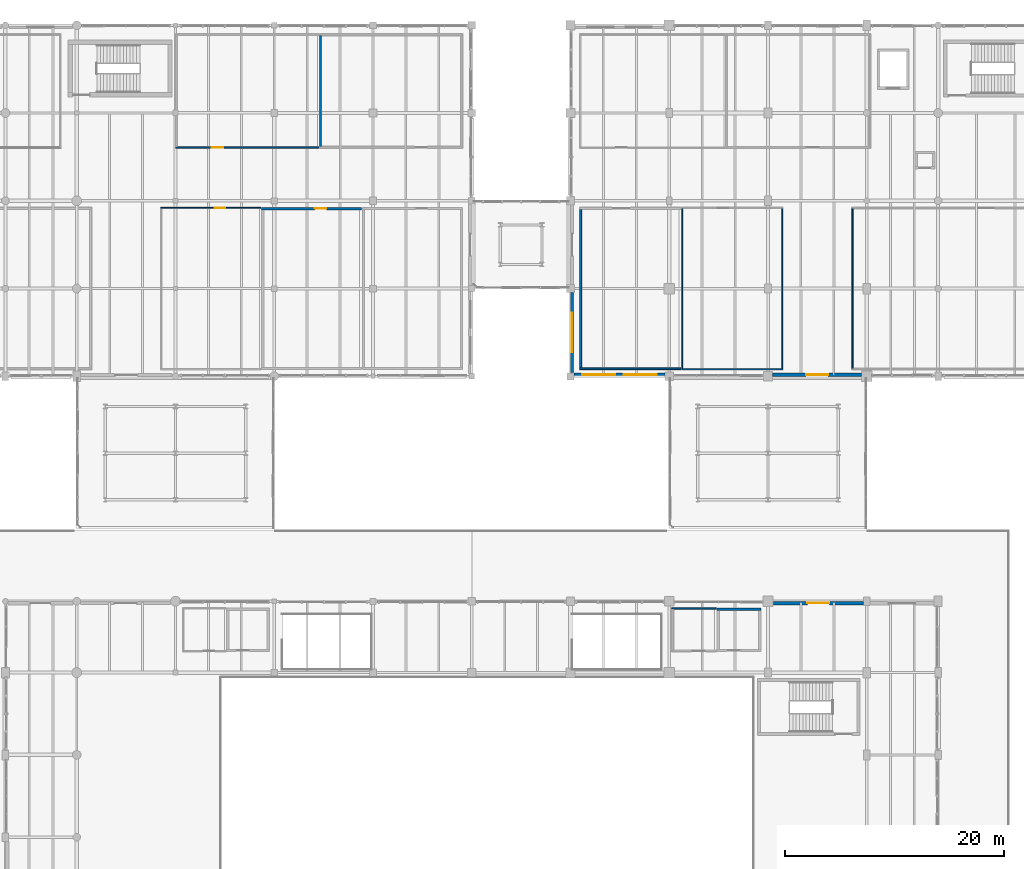
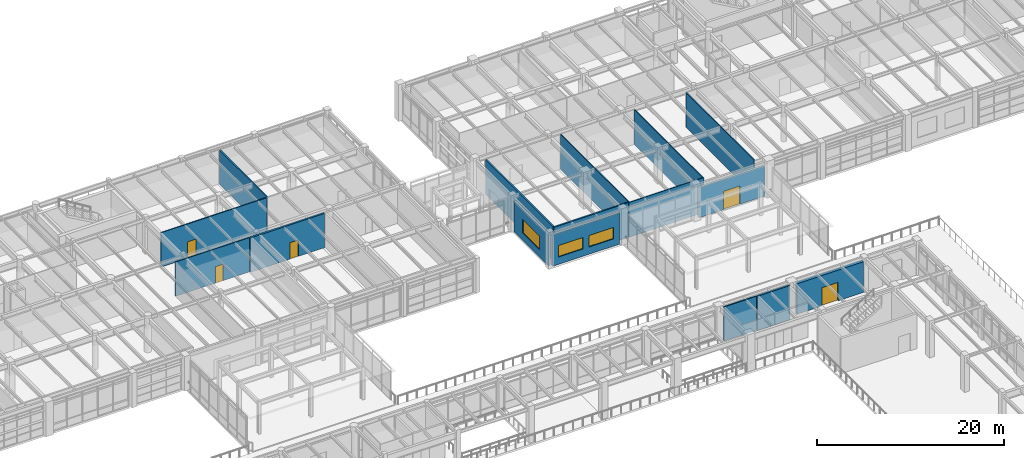
# One storey, part 177 of 200: 16 walls, 5 doors, 3 windows, 8 openings.
"""IFC4 building model written with IfcOpenShell, lengths in metres."""

from ifc_helpers import new_model, si_unit, direction, frame, frame_2d, origin, place, context, subcontext, project, spatial, rectangle, extrude, material, layer, layer_set, type_object, element, fill, save


model = new_model("IFC4")

# Units and contexts
model_context = context("Model", 3, precision=1e-05, world=origin(), true_north=direction((0.0, 1.0)))
body_context = subcontext(model_context, "Body", "Model", "MODEL_VIEW")
ifc_project = project(units=[si_unit("LENGTHUNIT", "METRE"), si_unit("AREAUNIT", "SQUARE_METRE"), si_unit("VOLUMEUNIT", "CUBIC_METRE"), si_unit("PLANEANGLEUNIT", "RADIAN"), si_unit("MASSUNIT", "GRAM", prefix="KILO"), si_unit("THERMODYNAMICTEMPERATUREUNIT", "KELVIN"), si_unit("POWERUNIT", "WATT")], contexts=[model_context])

# Site, building, storey
site_placement = place(None, origin())
site = spatial("IfcSite", under=ifc_project, at=site_placement, CompositionType="ELEMENT")
building_placement = place(site_placement, origin())
building = spatial("IfcBuilding", under=site, at=building_placement, Name="Tepalcoro Natatorium and Aquatics Centre", CompositionType="ELEMENT")
storey_placement = place(building_placement, frame((0.0, 0.0, 5.39990234375)))
storey = spatial("IfcBuildingStorey", under=building, at=storey_placement, Name="L01", CompositionType="ELEMENT", Elevation=5.39990234375)

# Wall, openings, windows
ifc_material_1 = material(Name="Precast Concrete C45/55 (fc 45 MPa)", Category="concrete")
ifc_layer_1 = layer(ifc_material_1, 0.284912109375)
ifc_layer_set_1 = layer_set([ifc_layer_1], Name="Precast Concrete C45/55 (fc 45 MPa)")
wall_type_1 = type_object("IfcWallType", Name="WL_EXT_INSUL_280", PredefinedType="SOLIDWALL", material=ifc_layer_set_1)
wall_1_placement = place(storey_placement, frame((98.3291015625, 86.142578125, 0.0), z_axis=(0.0, 0.0, 1.0), x_axis=(1.0, 0.0, 0.0)))
wall_1 = element("IfcWall", 1, at=wall_1_placement, inside=storey, type_object=wall_type_1, Name="V5 L01 S Volcanic Basalt Envelope Wall", PredefinedType="SOLIDWALL", context=body_context, shape_type="SweptSolid", body=[
    extrude(rectangle(XDim=8.2919921875, YDim=0.284912109375, at=frame_2d((4.14599609375, 0.0))), origin(), (0.0, 0.0, 1.0), 4.070068359375),
])
opening_1_placement = place(wall_1_placement, frame((0.763916015625, 0.0, 0.949951171875)))
opening_1 = element("IfcOpeningElement", 2, at=opening_1_placement, cuts=wall_1, Name="Opening W0088A", PredefinedType="OPENING", context=body_context, shape_type="SweptSolid", body=[
    extrude(rectangle(XDim=3.0, YDim=1.5, at=frame_2d((1.5, 0.75))), frame((0.0, 0.154296875, 0.0), z_axis=(0.0, -1.0, 0.0), x_axis=(1.0, 0.0, 0.0)), (0.0, 0.0, 1.0), 0.308837890625),
])
opening_2_placement = place(wall_1_placement, frame((4.528076171875, 0.0, 0.949951171875)))
opening_2 = element("IfcOpeningElement", 3, at=opening_2_placement, cuts=wall_1, Name="Opening W0088B", PredefinedType="OPENING", context=body_context, shape_type="SweptSolid", body=[
    extrude(rectangle(XDim=3.0, YDim=1.5, at=frame_2d((1.5, 0.75))), frame((0.0, 0.154296875, 0.0), z_axis=(0.0, -1.0, 0.0), x_axis=(1.0, 0.0, 0.0)), (0.0, 0.0, 1.0), 0.308837890625),
])
ifc_material_2 = material(Name="Solar-Control Bronze Tempered Low-E Double Glazing", Category="glass")
window_type_1 = type_object("IfcWindowType", Name="WN_300x150", PartitioningType="SINGLE_PANEL", PredefinedType="WINDOW", material=ifc_material_2)
window_1_placement = place(opening_1_placement, origin())
window_1 = element("IfcWindow", 4, at=window_1_placement, inside=storey, type_object=window_type_1, Name="Exterior Thermal Window WN_300x150", OverallHeight=1.5, OverallWidth=3.0, PartitioningType="SINGLE_PANEL", PredefinedType="WINDOW", context=body_context, shape_type="SweptSolid", body=[
    extrude(rectangle(XDim=3.0, YDim=1.5, at=frame_2d((1.5, 0.75))), frame((0.0, 0.030029296875, 0.0), z_axis=(0.0, -1.0, 0.0), x_axis=(1.0, 0.0, 0.0)), (0.0, 0.0, 1.0), 0.06005859375),
])
fill(opening_1, window_1)
window_2_placement = place(opening_2_placement, origin())
window_2 = element("IfcWindow", 5, at=window_2_placement, inside=storey, type_object=window_type_1, Name="Exterior Thermal Window WN_300x150", OverallHeight=1.5, OverallWidth=3.0, PartitioningType="SINGLE_PANEL", PredefinedType="WINDOW", context=body_context, shape_type="SweptSolid", body=[
    extrude(rectangle(XDim=3.0, YDim=1.5, at=frame_2d((1.5, 0.75))), frame((0.0, 0.030029296875, 0.0), z_axis=(0.0, -1.0, 0.0), x_axis=(1.0, 0.0, 0.0)), (0.0, 0.0, 1.0), 0.06005859375),
])
fill(opening_2, window_2)

# Wall, opening, door
wall_2_placement = place(storey_placement, frame((116.428955078125, 86.142578125, 0.0), z_axis=(0.0, 0.0, 1.0), x_axis=(1.0, 0.0, 0.0)))
wall_2 = element("IfcWall", 6, at=wall_2_placement, inside=storey, type_object=wall_type_1, Name="V5 L01 S Volcanic Basalt Envelope Wall", PredefinedType="SOLIDWALL", context=body_context, shape_type="SweptSolid", body=[
    extrude(rectangle(XDim=8.092041015625, YDim=0.284912109375, at=frame_2d((4.0458984375, 0.0))), origin(), (0.0, 0.0, 1.0), 3.918212890625),
])
opening_3_placement = place(wall_2_placement, frame((3.0458984375, 0.0, 0.0)))
opening_3 = element("IfcOpeningElement", 7, at=opening_3_placement, cuts=wall_2, Name="Opening ED5044", PredefinedType="OPENING", context=body_context, shape_type="SweptSolid", body=[
    extrude(rectangle(XDim=2.0, YDim=2.39990234375, at=frame_2d((1.0, 1.199951171875))), frame((0.0, 0.154296875, 0.0), z_axis=(0.0, -1.0, 0.0), x_axis=(1.0, 0.0, 0.0)), (0.0, 0.0, 1.0), 0.308837890625),
])
ifc_material_3 = material(Name="Bronze-Anodised Extruded Aluminium Alloy EN AW-6063 T6", Category="aluminium")
door_type_1 = type_object("IfcDoorType", Name="DR_200x240_EXT", OperationType="NOTDEFINED", PredefinedType="DOOR", material=ifc_material_3)
door_1_placement = place(opening_3_placement, frame((2.0, 0.0, 0.0), z_axis=(0.0, 0.0, 1.0), x_axis=(-1.0, 0.0, 0.0)))
door_1 = element("IfcDoor", 8, at=door_1_placement, inside=storey, type_object=door_type_1, Name="V5 L01 South Courtyard Bridge Portal", OperationType="DOUBLE_DOOR_SINGLE_SWING", OverallHeight=2.39990234375, OverallWidth=2.0, PredefinedType="DOOR", context=body_context, shape_type="SweptSolid", body=[
    extrude(rectangle(XDim=2.0, YDim=2.39990234375, at=frame_2d((1.0, 1.199951171875))), frame((0.0, 0.02490234375, 0.0), z_axis=(0.0, -1.0, 0.0), x_axis=(1.0, 0.0, 0.0)), (0.0, 0.0, 1.0), 0.050048828125),
])
fill(opening_3, door_1)

# Wall, opening, window
wall_3_placement = place(storey_placement, frame((98.142578125, 86.3291015625, 0.0), z_axis=(0.0, 0.0, 1.0), x_axis=(0.0, 1.0, 0.0)))
wall_3 = element("IfcWall", 9, at=wall_3_placement, inside=storey, type_object=wall_type_1, Name="V5 L01 W Volcanic Basalt Envelope Wall", PredefinedType="SOLIDWALL", context=body_context, shape_type="SweptSolid", body=[
    extrude(rectangle(XDim=7.31689453125, YDim=0.284912109375, at=frame_2d((3.658447265625, 0.0))), origin(), (0.0, 0.0, 1.0), 3.994140625),
])
opening_4_placement = place(wall_3_placement, frame((1.8583984375, 0.0, 0.949951171875)))
opening_4 = element("IfcOpeningElement", 10, at=opening_4_placement, cuts=wall_3, Name="Opening W0095", PredefinedType="OPENING", context=body_context, shape_type="SweptSolid", body=[
    extrude(rectangle(XDim=3.60009765625, YDim=1.800048828125, at=frame_2d((1.800048828125, 0.89990234375))), frame((0.0, 0.154296875, 0.0), z_axis=(0.0, -1.0, 0.0), x_axis=(1.0, 0.0, 0.0)), (0.0, 0.0, 1.0), 0.308837890625),
])
window_type_2 = type_object("IfcWindowType", Name="WN_360x180", PartitioningType="SINGLE_PANEL", PredefinedType="WINDOW", material=ifc_material_2)
window_3_placement = place(opening_4_placement, origin())
window_3 = element("IfcWindow", 11, at=window_3_placement, inside=storey, type_object=window_type_2, Name="Exterior Thermal Window WN_360x180", OverallHeight=1.800048828125, OverallWidth=3.60009765625, PartitioningType="SINGLE_PANEL", PredefinedType="WINDOW", context=body_context, shape_type="SweptSolid", body=[
    extrude(rectangle(XDim=3.60009765625, YDim=1.800048828125, at=frame_2d((1.800048828125, 0.89990234375))), frame((0.0, 0.030029296875, 0.0), z_axis=(0.0, -1.0, 0.0), x_axis=(1.0, 0.0, 0.0)), (0.0, 0.0, 1.0), 0.06005859375),
])
fill(opening_4, window_3)

# Wall, opening, door
ifc_material_4 = material(Name="Jalisco Cantera Rosa Volcanic Tuff Ashlar Masonry", Category="masonry")
ifc_layer_2 = layer(ifc_material_4, 0.320068359375)
ifc_layer_set_2 = layer_set([ifc_layer_2], Name="Jalisco Cantera Rosa Volcanic Tuff Ashlar Masonry")
wall_type_2 = type_object("IfcWallType", Name="WL_EXT_STONE_320", PredefinedType="SOLIDWALL", material=ifc_layer_set_2)
wall_4_placement = place(storey_placement, frame((116.47900390625, 65.340087890625, 0.0), z_axis=(0.0, 0.0, 1.0), x_axis=(1.0, 0.0, 0.0)))
wall_4 = element("IfcWall", 12, at=wall_4_placement, inside=storey, type_object=wall_type_2, Name="V1 L01 N Volcanic Basalt Envelope Wall", PredefinedType="SOLIDWALL", context=body_context, shape_type="SweptSolid", body=[
    extrude(rectangle(XDim=8.217041015625, YDim=0.320068359375, at=frame_2d((4.1083984375, 0.0))), origin(), (0.0, 0.0, 1.0), 3.989990234375),
])
opening_5_placement = place(wall_4_placement, frame((3.1083984375, 0.0, 0.0)))
opening_5 = element("IfcOpeningElement", 13, at=opening_5_placement, cuts=wall_4, Name="Opening ED5013", PredefinedType="OPENING", context=body_context, shape_type="SweptSolid", body=[
    extrude(rectangle(XDim=2.0, YDim=2.39990234375, at=frame_2d((1.0, 1.199951171875))), frame((0.0, 0.171875, 0.0), z_axis=(0.0, -1.0, 0.0), x_axis=(1.0, 0.0, 0.0)), (0.0, 0.0, 1.0), 0.343994140625),
])
door_2_placement = place(opening_5_placement, origin())
door_2 = element("IfcDoor", 14, at=door_2_placement, inside=storey, type_object=door_type_1, Name="L01 NE Bridge Concourse Portal", OperationType="DOUBLE_DOOR_SINGLE_SWING", OverallHeight=2.39990234375, OverallWidth=2.0, PredefinedType="DOOR", context=body_context, shape_type="SweptSolid", body=[
    extrude(rectangle(XDim=2.0, YDim=2.39990234375, at=frame_2d((1.0, 1.199951171875))), frame((0.0, 0.02490234375, 0.0), z_axis=(0.0, -1.0, 0.0), x_axis=(1.0, 0.0, 0.0)), (0.0, 0.0, 1.0), 0.050048828125),
])
fill(opening_5, door_2)

ifc_material_5 = material(Name="Moisture-Resistant Acoustic Gypsum Drywall on Cold-Formed Metal Studs")
ifc_layer_3 = layer(ifc_material_5, 0.10009765625)
ifc_layer_set_3 = layer_set([ifc_layer_3], Name="Moisture-Resistant Acoustic Gypsum Drywall on Cold-Formed Metal Studs")
wall_type_3 = type_object("IfcWallType", Name="WL_PART_100", PredefinedType="PARTITIONING", material=ifc_layer_set_3)
wall_5_placement = place(storey_placement, frame((60.639892578125, 101.35009765625, 0.0), z_axis=(0.0, 0.0, 1.0), x_axis=(1.0, 0.0, 0.0)))
wall_5 = element("IfcWall", 15, at=wall_5_placement, inside=storey, type_object=wall_type_3, Name="Pilates, Mobility & Balance Studio Partition N", PredefinedType="PARTITIONING", context=body_context, shape_type="SweptSolid", body=[
    extrude(rectangle(XDim=9.1201171875, YDim=0.10009765625, at=frame_2d((4.56005859375, 0.0))), origin(), (0.0, 0.0, 1.0), 4.485107421875),
])
opening_6_placement = place(wall_5_placement, frame((4.933349609375, 0.0, 0.0)))
opening_6 = element("IfcOpeningElement", 16, at=opening_6_placement, cuts=wall_5, Name="Opening D0137", PredefinedType="OPENING", context=body_context, shape_type="SweptSolid", body=[
    extrude(rectangle(XDim=0.949951171875, YDim=2.14990234375, at=frame_2d((0.47509765625, 1.074951171875))), frame((0.0, 0.06201171875, 0.0), z_axis=(0.0, -1.0, 0.0), x_axis=(1.0, 0.0, 0.0)), (0.0, 0.0, 1.0), 0.1240234375),
])
ifc_material_6 = material(Name="Solid-Core Moisture-Sealed Oak Timber Leaf in Aluminium Frame", Category="wood")
door_type_2 = type_object("IfcDoorType", Name="DR_095x215_OFFICE", OperationType="NOTDEFINED", PredefinedType="DOOR", material=ifc_material_6)
door_3_placement = place(opening_6_placement, frame((0.949951171875, 0.0, 0.0), z_axis=(0.0, 0.0, 1.0), x_axis=(-1.0, 0.0, 0.0)))
door_3 = element("IfcDoor", 17, at=door_3_placement, inside=storey, type_object=door_type_2, Name="Pilates, Mobility & Balance Studio Door", OperationType="SINGLE_SWING_LEFT", OverallHeight=2.14990234375, OverallWidth=0.949951171875, PredefinedType="DOOR", context=body_context, shape_type="SweptSolid", body=[
    extrude(rectangle(XDim=0.949951171875, YDim=2.14990234375, at=frame_2d((0.47509765625, 1.074951171875))), frame((0.0, 0.02490234375, 0.0), z_axis=(0.0, -1.0, 0.0), x_axis=(1.0, 0.0, 0.0)), (0.0, 0.0, 1.0), 0.050048828125),
])
fill(opening_6, door_3)

# Walls
wall_6_placement = place(storey_placement, frame((108.139892578125, 86.64990234375, 0.0), z_axis=(0.0, 0.0, 1.0), x_axis=(1.0, 0.0, 0.0)))
element("IfcWall", 18, at=wall_6_placement, inside=storey, type_object=wall_type_3, Name="Photographers Darkroom, Editing & Locker Lounge Partition S", PredefinedType="PARTITIONING", context=body_context, shape_type="SweptSolid", body=[
    extrude(rectangle(XDim=9.22021484375, YDim=0.10009765625, at=frame_2d((4.610107421875, 0.0))), origin(), (0.0, 0.0, 1.0), 4.545166015625),
])
for number, where, z_axis, x_axis, name in (
    (19, (117.31005859375, 86.699951171875, 0.0), (0.0, 0.0, 1.0), (0.0, 1.0, 0.0), "Photographers Darkroom, Editing & Locker Lounge Partition E"),
    (20, (108.18994140625, 86.699951171875, 0.0), (0.0, 0.0, 1.0), (0.0, 1.0, 0.0), "Photographers Darkroom, Editing & Locker Lounge Partition W"),
):
    element("IfcWall", number, at=place(storey_placement, frame(where, z_axis=z_axis, x_axis=x_axis)), inside=storey, type_object=wall_type_3, Name=name, PredefinedType="PARTITIONING", context=body_context, shape_type="SweptSolid", body=[
        extrude(rectangle(XDim=14.60009765625, YDim=0.10009765625, at=frame_2d((7.300048828125, 0.0))), origin(), (0.0, 0.0, 1.0), 4.545166015625),
    ])

# Wall, opening, door
ifc_layer_4 = layer(ifc_material_5, 0.125)
ifc_layer_set_4 = layer_set([ifc_layer_4], Name="Moisture-Resistant Acoustic Gypsum Drywall on Cold-Formed Metal Studs")
wall_type_4 = type_object("IfcWallType", Name="WL_PART_125", PredefinedType="PARTITIONING", material=ifc_layer_set_4)
wall_7_placement = place(storey_placement, frame((62.0400390625, 106.862548828125, 0.0), z_axis=(0.0, 0.0, 1.0), x_axis=(1.0, 0.0, 0.0)))
wall_7 = element("IfcWall", 21, at=wall_7_placement, inside=storey, type_object=wall_type_4, Name="National Swim Federation Coaching Suite Partition S", PredefinedType="PARTITIONING", context=body_context, shape_type="SweptSolid", body=[
    extrude(rectangle(XDim=13.02001953125, YDim=0.125, at=frame_2d((6.510009765625, 0.0))), origin(), (0.0, 0.0, 1.0), 4.485107421875),
])
opening_7_placement = place(wall_7_placement, frame((3.267578125, 0.0, 0.0)))
opening_7 = element("IfcOpeningElement", 22, at=opening_7_placement, cuts=wall_7, Name="Opening D0142", PredefinedType="OPENING", context=body_context, shape_type="SweptSolid", body=[
    extrude(rectangle(XDim=1.050048828125, YDim=2.14990234375, at=frame_2d((0.52490234375, 1.074951171875))), frame((0.0, 0.074462890625, 0.0), z_axis=(0.0, -1.0, 0.0), x_axis=(1.0, 0.0, 0.0)), (0.0, 0.0, 1.0), 0.14892578125),
])
door_type_3 = type_object("IfcDoorType", Name="DR_105x215_ACC", OperationType="NOTDEFINED", PredefinedType="DOOR", material=ifc_material_6)
door_4_placement = place(opening_7_placement, origin())
door_4 = element("IfcDoor", 23, at=door_4_placement, inside=storey, type_object=door_type_3, Name="National Swim Federation Coaching Suite Door", OperationType="SINGLE_SWING_RIGHT", OverallHeight=2.14990234375, OverallWidth=1.050048828125, PredefinedType="DOOR", context=body_context, shape_type="SweptSolid", body=[
    extrude(rectangle(XDim=1.050048828125, YDim=2.14990234375, at=frame_2d((0.52490234375, 1.074951171875))), frame((0.0, 0.02490234375, 0.0), z_axis=(0.0, -1.0, 0.0), x_axis=(1.0, 0.0, 0.0)), (0.0, 0.0, 1.0), 0.050048828125),
])
fill(opening_7, door_4)

# Walls
wall_8_placement = place(storey_placement, frame((123.702392578125, 86.72509765625, 0.0), z_axis=(0.0, 0.0, 1.0), x_axis=(0.0, 1.0, 0.0)))
element("IfcWall", 24, at=wall_8_placement, inside=storey, type_object=wall_type_4, Name="Press Conference Auditorium (140 Seats) Partition W", PredefinedType="PARTITIONING", context=body_context, shape_type="SweptSolid", body=[
    extrude(rectangle(XDim=14.5498046875, YDim=0.125, at=frame_2d((7.27490234375, 0.0))), origin(), (0.0, 0.0, 1.0), 4.545166015625),
])
ifc_layer_5 = layer(ifc_material_5, 0.14990234375)
ifc_layer_set_5 = layer_set([ifc_layer_5], Name="Moisture-Resistant Acoustic Gypsum Drywall on Cold-Formed Metal Studs")
wall_type_5 = type_object("IfcWallType", Name="WL_PART_150_AC", PredefinedType="PARTITIONING", material=ifc_layer_set_5)
wall_9_placement = place(storey_placement, frame((107.239990234375, 64.824951171875, 0.0), z_axis=(0.0, 0.0, 1.0), x_axis=(1.0, 0.0, 0.0)))
element("IfcWall", 25, at=wall_9_placement, inside=storey, type_object=wall_type_5, Name="Spectator Steward Control & Crowd First Aid Partition N", PredefinedType="PARTITIONING", context=body_context, shape_type="SweptSolid", body=[
    extrude(rectangle(XDim=4.02001953125, YDim=0.14990234375, at=frame_2d((2.010009765625, 0.0))), origin(), (0.0, 0.0, 1.0), 4.465087890625),
])
wall_10_placement = place(storey_placement, frame((75.215087890625, 106.949951171875, 0.0), z_axis=(0.0, 0.0, 1.0), x_axis=(0.0, 1.0, 0.0)))
element("IfcWall", 26, at=wall_10_placement, inside=storey, type_object=wall_type_5, Name="Gym Equipment & Testing Store Partition W", PredefinedType="PARTITIONING", context=body_context, shape_type="SweptSolid", body=[
    extrude(rectangle(XDim=10.10009765625, YDim=0.14990234375, at=frame_2d((5.050048828125, 0.0))), origin(), (0.0, 0.0, 1.0), 4.485107421875),
])
ifc_layer_6 = layer(ifc_material_5, 0.179931640625)
ifc_layer_set_6 = layer_set([ifc_layer_6], Name="Moisture-Resistant Acoustic Gypsum Drywall on Cold-Formed Metal Studs")
wall_type_6 = type_object("IfcWallType", Name="WL_PART_180_AC", PredefinedType="PARTITIONING", material=ifc_layer_set_6)
wall_11_placement = place(storey_placement, frame((98.840087890625, 86.68994140625, 0.0), z_axis=(0.0, 0.0, 1.0), x_axis=(1.0, 0.0, 0.0)))
element("IfcWall", 27, at=wall_11_placement, inside=storey, type_object=wall_type_6, Name="International Written Press Workroom (120 Desks) Partition S", PredefinedType="PARTITIONING", context=body_context, shape_type="SweptSolid", body=[
    extrude(rectangle(XDim=9.219970703125, YDim=0.179931640625, at=frame_2d((4.60986328125, 0.0))), origin(), (0.0, 0.0, 1.0), 4.545166015625),
])
wall_12_placement = place(storey_placement, frame((98.929931640625, 86.780029296875, 0.0), z_axis=(0.0, 0.0, 1.0), x_axis=(0.0, 1.0, 0.0)))
element("IfcWall", 28, at=wall_12_placement, inside=storey, type_object=wall_type_6, Name="International Written Press Workroom (120 Desks) Partition W", PredefinedType="PARTITIONING", context=body_context, shape_type="SweptSolid", body=[
    extrude(rectangle(XDim=14.43994140625, YDim=0.179931640625, at=frame_2d((7.219970703125, 0.0))), origin(), (0.0, 0.0, 1.0), 4.545166015625),
])
ifc_material_7 = material(Name="Ceramic-Tiled Moisture-Resistant Masonry Blockwork", Category="masonry")
ifc_layer_7 = layer(ifc_material_7, 0.219970703125)
ifc_layer_set_7 = layer_set([ifc_layer_7], Name="Ceramic-Tiled Moisture-Resistant Masonry Blockwork")
wall_type_7 = type_object("IfcWallType", Name="WL_PLUMB_220", PredefinedType="PLUMBINGWALL", material=ifc_layer_set_7)
wall_13_placement = place(storey_placement, frame((111.340087890625, 64.7900390625, 0.0), z_axis=(0.0, 0.0, 1.0), x_axis=(1.0, 0.0, 0.0)))
element("IfcWall", 29, at=wall_13_placement, inside=storey, type_object=wall_type_7, Name="Spectator Toilets & Accessible WC NE Partition N", PredefinedType="PLUMBINGWALL", context=body_context, shape_type="SweptSolid", body=[
    extrude(rectangle(XDim=4.02001953125, YDim=0.219970703125, at=frame_2d((2.010009765625, 0.0))), origin(), (0.0, 0.0, 1.0), 4.465087890625),
])

# Wall, opening, door
wall_14_placement = place(storey_placement, frame((69.840087890625, 101.2900390625, 0.0), z_axis=(0.0, 0.0, 1.0), x_axis=(1.0, 0.0, 0.0)))
wall_14 = element("IfcWall", 30, at=wall_14_placement, inside=storey, type_object=wall_type_7, Name="Athlete Dry Changing & Showers Male/Female Partition N", PredefinedType="PLUMBINGWALL", context=body_context, shape_type="SweptSolid", body=[
    extrude(rectangle(XDim=9.119873046875, YDim=0.219970703125, at=frame_2d((4.56005859375, 0.0))), origin(), (0.0, 0.0, 1.0), 4.485107421875),
])
opening_8_placement = place(wall_14_placement, frame((4.871337890625, 0.0, 0.0)))
opening_8 = element("IfcOpeningElement", 31, at=opening_8_placement, cuts=wall_14, Name="Opening D0138", PredefinedType="OPENING", context=body_context, shape_type="SweptSolid", body=[
    extrude(rectangle(XDim=1.050048828125, YDim=2.14990234375, at=frame_2d((0.52490234375, 1.074951171875))), frame((0.0, 0.1220703125, 0.0), z_axis=(0.0, -1.0, 0.0), x_axis=(1.0, 0.0, 0.0)), (0.0, 0.0, 1.0), 0.243896484375),
])
door_5_placement = place(opening_8_placement, frame((1.050048828125, 0.0, 0.0), z_axis=(0.0, 0.0, 1.0), x_axis=(-1.0, 0.0, 0.0)))
door_5 = element("IfcDoor", 32, at=door_5_placement, inside=storey, type_object=door_type_3, Name="Athlete Dry Changing & Showers Male/Female Door", OperationType="SINGLE_SWING_RIGHT", OverallHeight=2.14990234375, OverallWidth=1.050048828125, PredefinedType="DOOR", context=body_context, shape_type="SweptSolid", body=[
    extrude(rectangle(XDim=1.050048828125, YDim=2.14990234375, at=frame_2d((0.52490234375, 1.074951171875))), frame((0.0, 0.02490234375, 0.0), z_axis=(0.0, -1.0, 0.0), x_axis=(1.0, 0.0, 0.0)), (0.0, 0.0, 1.0), 0.050048828125),
])
fill(opening_8, door_5)

save(model, "model.ifc")
